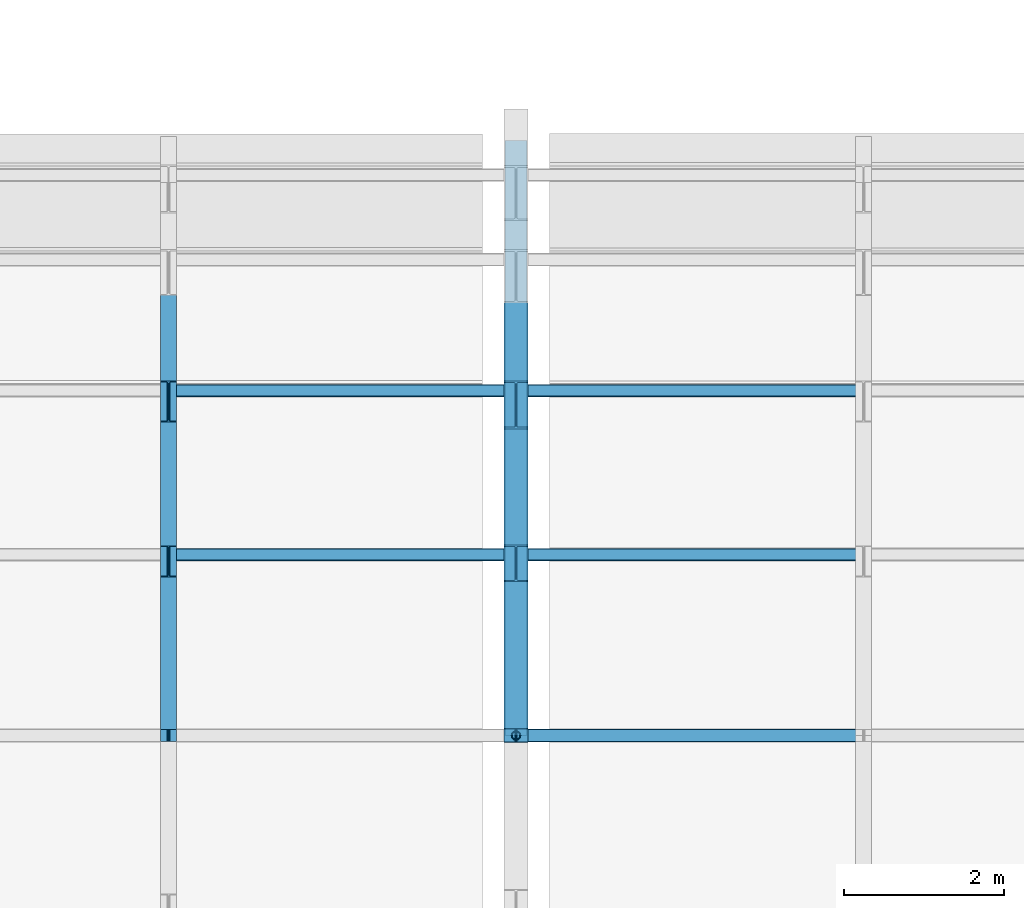
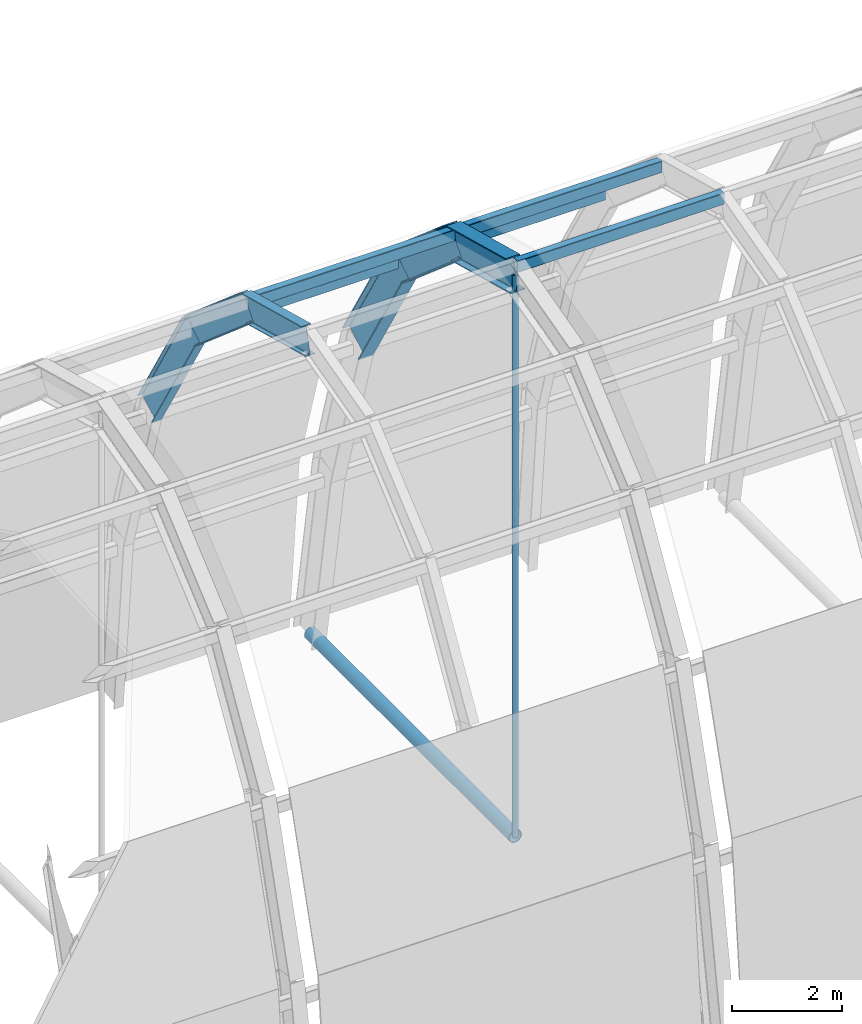
# One storey, part 6 of 13: 7 members, 6 beams.
"""IFC4 building model written with IfcOpenShell, lengths in metres."""

from ifc_helpers import new_model, si_unit, derived_unit, direction, frame, origin, origin_2d, place, context, subcontext, project, spatial, hollow_rectangle, hollow_circle, i_section, extrude, material, material_profile, profile_set, type_object, element, save


model = new_model("IFC4")

# Units and contexts
model_context = context("Model", 3, precision=1e-05, world=origin(), true_north=direction((0.0, 1.0)))
body_context = subcontext(model_context, "Body", "Model", "MODEL_VIEW")
ifc_project = project(units=[si_unit("LENGTHUNIT", "METRE"), si_unit("AREAUNIT", "SQUARE_METRE"), si_unit("VOLUMEUNIT", "CUBIC_METRE"), si_unit("PLANEANGLEUNIT", "RADIAN"), si_unit("MASSUNIT", "GRAM", prefix="KILO"), derived_unit("THERMALTRANSMITTANCEUNIT", [(si_unit("MASSUNIT", "GRAM", prefix="KILO"), 1), (si_unit("TIMEUNIT", "SECOND"), -3), (si_unit("THERMODYNAMICTEMPERATUREUNIT", "KELVIN"), -1)])], contexts=[model_context])

# Site, building, storey
site_placement = place(None, origin())
site = spatial("IfcSite", under=ifc_project, at=site_placement, CompositionType="ELEMENT")
building_placement = place(site_placement, origin())
building = spatial("IfcBuilding", under=site, at=building_placement, Name="Qinzheling Arcade Emporium", CompositionType="ELEMENT")
storey_placement = place(building_placement, frame((0.0, 0.0, 41.10009765625)))
storey = spatial("IfcBuildingStorey", under=building, at=storey_placement, Name="RF", CompositionType="ELEMENT", Elevation=41.10009765625)

# Beams
ifc_material = material(Name="Weathering steel Q355NH", Category="steel")
ifc_material_profile_1 = material_profile(ifc_material, i_section(OverallWidth=0.199951171875, OverallDepth=0.60009765625, WebThickness=0.010986328125, FlangeThickness=0.01708984375, FilletRadius=0.02001953125, at=origin_2d()), Name="HN 600x200x11x17", Category="steel")
ifc_profile_set_1 = profile_set([ifc_material_profile_1], Name="Weathering steel Q355NH")
beam_type_1 = type_object("IfcBeamType", Name="Atrium End Arch Rib HN600 Q355NH", PredefinedType="BEAM", material=ifc_profile_set_1)
beam_1_placement = place(storey_placement, frame((65.25, 57.89990234375, 7.501953125), z_axis=(0.0, 0.966026254712, -0.258443949838), x_axis=(-1.0, 0.0, 0.0)))
element("IfcBeam", 1, at=beam_1_placement, inside=storey, type_object=beam_type_1, Name="Atrium Sub-Rib VLT-ATRIUM-SRIB-B04-S06", PredefinedType="BEAM", context=body_context, shape_type="SweptSolid", body=[
    extrude(i_section(OverallWidth=0.199951171875, OverallDepth=0.60009765625, WebThickness=0.010986328125, FlangeThickness=0.01708984375, FilletRadius=0.02001953125, at=origin_2d()), origin(), (0.0, 0.0, 1.0), 2.255859375),
])
beam_2_placement = place(storey_placement, frame((65.25, 60.0791015625, 6.9189453125), z_axis=(0.0, 0.758897005565, -0.651210668636), x_axis=(-1.0, 0.0, 0.0)))
element("IfcBeam", 2, at=beam_2_placement, inside=storey, type_object=beam_type_1, Name="Atrium Sub-Rib VLT-ATRIUM-SRIB-B04-S07", PredefinedType="BEAM", context=body_context, shape_type="SweptSolid", body=[
    extrude(i_section(OverallWidth=0.199951171875, OverallDepth=0.60009765625, WebThickness=0.010986328125, FlangeThickness=0.01708984375, FilletRadius=0.02001953125, at=origin_2d()), origin(), (0.0, 0.0, 1.0), 2.63671875),
])
beam_3_placement = place(storey_placement, frame((65.25, 62.080078125, 5.201904296875), z_axis=(0.0, 0.511083106472, -0.859531301512), x_axis=(-1.0, 0.0, 0.0)))
element("IfcBeam", 3, at=beam_3_placement, inside=storey, type_object=beam_type_1, Name="Atrium Sub-Rib VLT-ATRIUM-SRIB-B04-S08", PredefinedType="BEAM", context=body_context, shape_type="SweptSolid", body=[
    extrude(i_section(OverallWidth=0.199951171875, OverallDepth=0.60009765625, WebThickness=0.010986328125, FlangeThickness=0.01708984375, FilletRadius=0.02001953125, at=origin_2d()), origin(), (0.0, 0.0, 1.0), 3.159912109375),
])

# Members
ifc_material_profile_2 = material_profile(ifc_material, hollow_rectangle(XDim=0.159912109375, YDim=0.260009765625, WallThickness=0.010009765625, InnerFilletRadius=0.010009765625, OuterFilletRadius=0.02001953125, at=origin_2d()), Name="RHS 260x160x10", Category="steel")
ifc_profile_set_2 = profile_set([ifc_material_profile_2], Name="Weathering steel Q355NH")
member_type_1 = type_object("IfcMemberType", Name="Atrium Skylight Purlin RHS260 Q355NH", PredefinedType="PURLIN", material=ifc_profile_set_2)
for number, where, z_axis, x_axis, name in (
    (4, (65.25, 60.1640625, 6.98095703125), (1.0, 0.0, 0.0), (0.0, 1.0, 0.0), "Atrium Skylight Purlin VLT-ATRIUM-PUR-B04-N06-2"),
    (5, (65.25, 62.217041015625, 5.1240234375), (1.0, 0.0, 0.0), (0.0, 1.0, 0.0), "Atrium Skylight Purlin VLT-ATRIUM-PUR-B04-N07-2"),
):
    element("IfcMember", number, at=place(storey_placement, frame(where, z_axis=z_axis, x_axis=x_axis)), inside=storey, type_object=member_type_1, Name=name, PredefinedType="PURLIN", context=body_context, shape_type="SweptSolid", body=[
        extrude(hollow_rectangle(XDim=0.159912109375, YDim=0.260009765625, WallThickness=0.010009765625, InnerFilletRadius=0.010009765625, OuterFilletRadius=0.02001953125, at=origin_2d()), origin(), (0.0, 0.0, 1.0), 4.35009765625),
    ])
for number, where, z_axis, x_axis, name in (
    (6, (69.60009765625, 57.89990234375, 7.64599609375), (1.0, 0.0, 0.0), (0.0, 1.0, 0.0), "Atrium Skylight Purlin VLT-ATRIUM-PUR-B05-N05-1"),
    (7, (69.60009765625, 60.1640625, 6.98095703125), (1.0, 0.0, 0.0), (0.0, 1.0, 0.0), "Atrium Skylight Purlin VLT-ATRIUM-PUR-B05-N06-1"),
    (8, (69.60009765625, 62.217041015625, 5.1240234375), (1.0, 0.0, 0.0), (0.0, 1.0, 0.0), "Atrium Skylight Purlin VLT-ATRIUM-PUR-B05-N07-1"),
):
    element("IfcMember", number, at=place(storey_placement, frame(where, z_axis=z_axis, x_axis=x_axis)), inside=storey, type_object=member_type_1, Name=name, PredefinedType="PURLIN", context=body_context, shape_type="SweptSolid", body=[
        extrude(hollow_rectangle(XDim=0.159912109375, YDim=0.260009765625, WallThickness=0.010009765625, InnerFilletRadius=0.010009765625, OuterFilletRadius=0.02001953125, at=origin_2d()), origin(), (0.0, 0.0, 1.0), 4.349853515625),
    ])

# Beams
ifc_material_profile_3 = material_profile(ifc_material, i_section(OverallWidth=0.300048828125, OverallDepth=0.699951171875, WebThickness=0.012939453125, FlangeThickness=0.02392578125, FilletRadius=0.02392578125, at=origin_2d()), Name="HN 700x300x13x24", Category="steel")
ifc_profile_set_3 = profile_set([ifc_material_profile_3], Name="Weathering steel Q355NH")
beam_type_2 = type_object("IfcBeamType", Name="Atrium Vault Arch Rib HN700 Q355NH", PredefinedType="BEAM", material=ifc_profile_set_3)
beam_4_placement = place(storey_placement, frame((69.60009765625, 57.89990234375, 7.449951171875), z_axis=(0.0, 0.965958306964, -0.258697795136), x_axis=(-1.0, 0.0, 0.0)))
element("IfcBeam", 9, at=beam_4_placement, inside=storey, type_object=beam_type_2, Name="Atrium Arch Rib VLT-ATRIUM-RIB-05-S06", PredefinedType="BEAM", context=body_context, shape_type="SweptSolid", body=[
    extrude(i_section(OverallWidth=0.300048828125, OverallDepth=0.699951171875, WebThickness=0.012939453125, FlangeThickness=0.02392578125, FilletRadius=0.02392578125, at=origin_2d()), origin(), (0.0, 0.0, 1.0), 2.23095703125),
])
beam_5_placement = place(storey_placement, frame((69.60009765625, 60.054931640625, 6.872802734375), z_axis=(0.0, 0.758815061516, -0.651306151066), x_axis=(-1.0, 0.0, 0.0)))
element("IfcBeam", 10, at=beam_5_placement, inside=storey, type_object=beam_type_2, Name="Atrium Arch Rib VLT-ATRIUM-RIB-05-S07", PredefinedType="BEAM", context=body_context, shape_type="SweptSolid", body=[
    extrude(i_section(OverallWidth=0.300048828125, OverallDepth=0.699951171875, WebThickness=0.012939453125, FlangeThickness=0.02392578125, FilletRadius=0.02392578125, at=origin_2d()), origin(), (0.0, 0.0, 1.0), 2.615966796875),
])
beam_6_placement = place(storey_placement, frame((69.60009765625, 62.0400390625, 5.1689453125), z_axis=(0.0, 0.511090888191, -0.859526674401), x_axis=(-1.0, 0.0, 0.0)))
element("IfcBeam", 11, at=beam_6_placement, inside=storey, type_object=beam_type_2, Name="Atrium Arch Rib VLT-ATRIUM-RIB-05-S08", PredefinedType="BEAM", context=body_context, shape_type="SweptSolid", body=[
    extrude(i_section(OverallWidth=0.300048828125, OverallDepth=0.699951171875, WebThickness=0.012939453125, FlangeThickness=0.02392578125, FilletRadius=0.02392578125, at=origin_2d()), origin(), (0.0, 0.0, 1.0), 3.14599609375),
])

# Members
ifc_material_profile_4 = material_profile(ifc_material, hollow_circle(Radius=0.056884765625, WallThickness=0.008056640625, at=origin_2d()), Name="CHS 114x8", Category="steel")
ifc_profile_set_4 = profile_set([ifc_material_profile_4], Name="Weathering steel Q355NH")
member_type_2 = type_object("IfcMemberType", Name="Vault King-Post Hanger CHS114 Q355NH", PredefinedType="BRACE", material=ifc_profile_set_4)
member_1_placement = place(storey_placement, frame((69.60009765625, 57.89990234375, -5.050048828125), z_axis=(0.0, 0.0, 1.0), x_axis=(1.0, 0.0, 0.0)))
element("IfcMember", 12, at=member_1_placement, inside=storey, type_object=member_type_2, Name="Atrium Crown Hanger VLT-ATRIUM-HNG-05", PredefinedType="BRACE", context=body_context, shape_type="SweptSolid", body=[
    extrude(hollow_circle(Radius=0.056884765625, WallThickness=0.008056640625, at=origin_2d()), origin(), (0.0, 0.0, 1.0), 12.5),
])
ifc_material_profile_5 = material_profile(ifc_material, hollow_circle(Radius=0.136474609375, WallThickness=0.011962890625, at=origin_2d()), Name="CHS 273x12", Category="steel")
ifc_profile_set_5 = profile_set([ifc_material_profile_5], Name="Weathering steel Q355NH")
member_type_3 = type_object("IfcMemberType", Name="Vault Thrust Tie Chord CHS273 Q355NH", PredefinedType="CHORD", material=ifc_profile_set_5)
member_2_placement = place(storey_placement, frame((69.60009765625, 57.89990234375, -5.050048828125), z_axis=(0.0, 1.0, 0.0), x_axis=(-1.0, 0.0, 0.0)))
element("IfcMember", 13, at=member_2_placement, inside=storey, type_object=member_type_3, Name="Atrium Thrust Tie VLT-ATRIUM-TIE-05-2", PredefinedType="CHORD", context=body_context, shape_type="SweptSolid", body=[
    extrude(hollow_circle(Radius=0.136474609375, WallThickness=0.011962890625, at=origin_2d()), origin(), (0.0, 0.0, 1.0), 7.4501953125),
])

save(model, "model.ifc")
